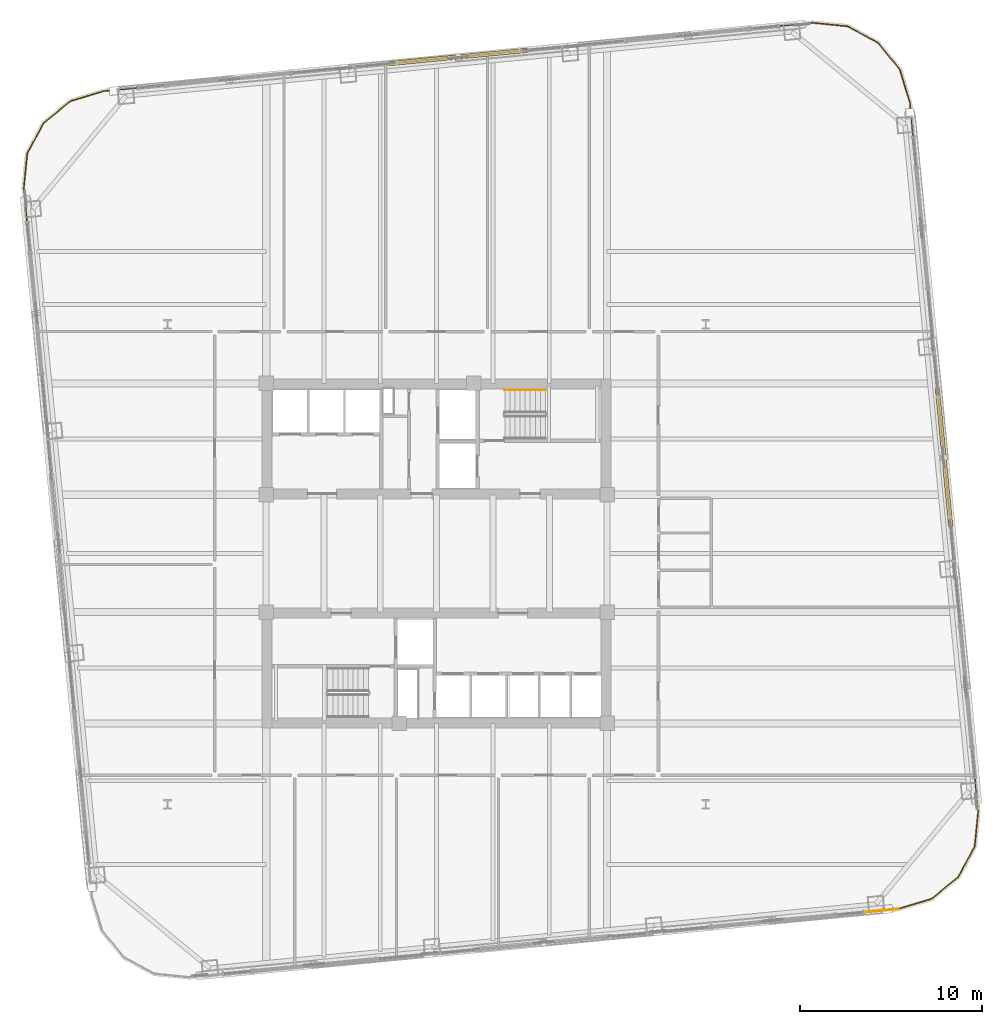
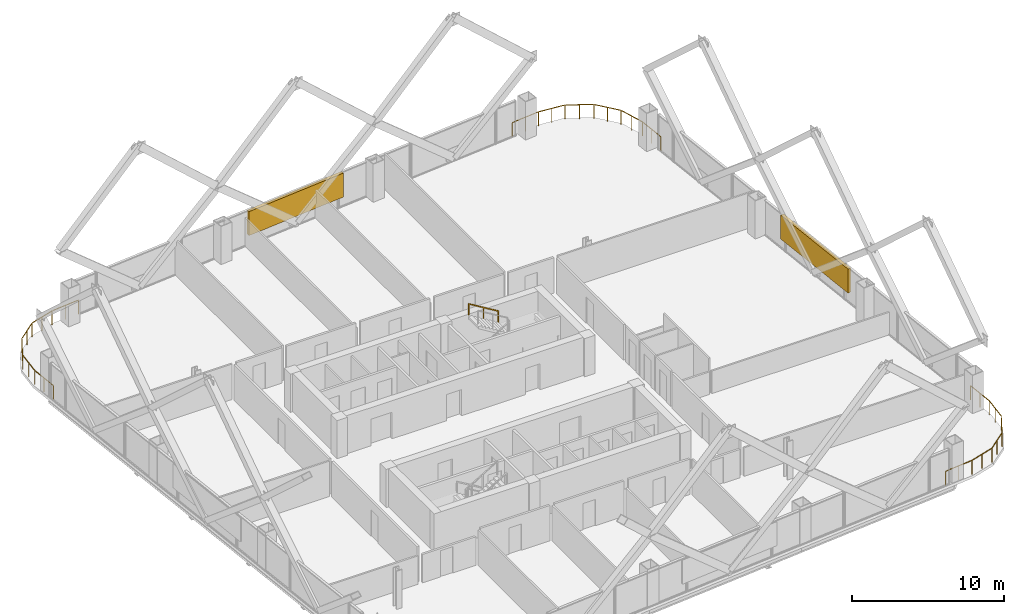
# One storey, part 32 of 32: 5 railings, 2 shading devices.
"""IFC4 building model written with IfcOpenShell, lengths in metres."""

from ifc_helpers import new_model, si_unit, direction, frame, origin, origin_2d, place, context, subcontext, project, spatial, rectangle, extrude, material, type_object, element, save


model = new_model("IFC4")

# Units and contexts
model_context = context("Model", 3, precision=1e-05, world=origin(), true_north=direction((0.0, 1.0)))
body_context = subcontext(model_context, "Body", "Model", "MODEL_VIEW")
ifc_project = project(units=[si_unit("LENGTHUNIT", "METRE"), si_unit("AREAUNIT", "SQUARE_METRE"), si_unit("VOLUMEUNIT", "CUBIC_METRE"), si_unit("PLANEANGLEUNIT", "RADIAN"), si_unit("MASSUNIT", "GRAM", prefix="KILO")], contexts=[model_context])

# Site, building, storey
site_placement = place(None, origin())
site = spatial("IfcSite", under=ifc_project, at=site_placement, CompositionType="ELEMENT")
building_placement = place(site_placement, origin())
building = spatial("IfcBuilding", under=site, at=building_placement, Name="Qhalaya Broadcast Tower", CompositionType="ELEMENT")
storey_placement = place(building_placement, frame((0.0, 0.0, 81.64990234375)))
storey = spatial("IfcBuildingStorey", under=building, at=storey_placement, Name="L23", CompositionType="ELEMENT", Elevation=81.64990234375)

# Railings
ifc_material_1 = material(Name="Powder-Coated Galvanised Steel", Category="steel")
railing_type_1 = type_object("IfcRailingType", Name="Stair Wall Handrail 900", PredefinedType="HANDRAIL", material=ifc_material_1)
railing_1_placement = place(storey_placement, frame((5.989990234375, 9.590087890625, 1.694580078125)))
element("IfcRailing", 1, at=railing_1_placement, inside=storey, type_object=railing_type_1, Name="L23 ST-1 Stair Handrail 2", PredefinedType="HANDRAIL", context=body_context, shape_type="SweptSolid", body=[
    extrude(rectangle(XDim=0.048095703125, YDim=0.048095703125, at=origin_2d()), frame((0.0, 0.0, 0.8759765625), z_axis=(-0.855553338991, 0.0, 0.51771467445), x_axis=(0.0, -1.0, 0.0)), (0.0, 0.0, 1.0), 2.6181640625),
    extrude(rectangle(XDim=0.0419921875, YDim=0.0419921875, at=origin_2d()), origin(), (0.0, 0.0, 1.0), 0.849853515625),
    extrude(rectangle(XDim=0.0419921875, YDim=0.0419921875, at=origin_2d()), frame((-1.1201171875, 0.0, 0.677734375)), (0.0, 0.0, 1.0), 0.849853515625),
    extrude(rectangle(XDim=0.0419921875, YDim=0.0419921875, at=origin_2d()), frame((-2.239990234375, 0.0, 1.35546875)), (0.0, 0.0, 1.0), 0.849853515625),
])
railing_type_2 = type_object("IfcRailingType", Name="Terrace, Sky-Pool & Lookout Glass Balustrade 1150", PredefinedType="BALUSTRADE", material=ifc_material_1)
railing_2_placement = place(storey_placement, frame((25.38427734375, -18.949951171875, 0.0)))
element("IfcRailing", 2, at=railing_2_placement, inside=storey, type_object=railing_type_2, Name="L23 Rounded Corner Perimeter Guard 01", PredefinedType="BALUSTRADE", context=body_context, shape_type="SweptSolid", body=[
    extrude(rectangle(XDim=0.048095703125, YDim=0.048095703125, at=origin_2d()), frame((0.0, 0.0, 1.1259765625), z_axis=(-0.995402268864, -0.095782687057, 0.0), x_axis=(0.095782687057, -0.995402268864, 0.0)), (0.0, 0.0, 1.0), 2.1181640625),
    extrude(rectangle(XDim=0.0419921875, YDim=0.0419921875, at=origin_2d()), origin(), (0.0, 0.0, 1.0), 1.099853515625),
    extrude(rectangle(XDim=0.0419921875, YDim=0.0419921875, at=origin_2d()), frame((-1.05419921875, -0.1015625, 0.0)), (0.0, 0.0, 1.0), 1.099853515625),
    extrude(rectangle(XDim=0.0419921875, YDim=0.0419921875, at=origin_2d()), frame((-2.1083984375, -0.202880859375, 0.0)), (0.0, 0.0, 1.0), 1.099853515625),
])
railing_3_placement = place(storey_placement, frame((-22.501708984375, 18.583251953125, 0.0)))
element("IfcRailing", 3, at=railing_3_placement, inside=storey, type_object=railing_type_2, Name="L23 Rounded Corner Perimeter Guard 03", PredefinedType="BALUSTRADE", context=body_context, shape_type="SweptSolid", body=[
    extrude(rectangle(XDim=0.048095703125, YDim=0.048095703125, at=origin_2d()), frame((0.0, 0.0, 1.1259765625), z_axis=(-0.095782687057, 0.995402268864, 0.0), x_axis=(-0.995402268864, -0.095782687057, 0.0)), (0.0, 0.0, 1.0), 2.08935546875),
    extrude(rectangle(XDim=0.048095703125, YDim=0.048095703125, at=origin_2d()), frame((-0.199951171875, 2.13720703125, 1.1259765625), z_axis=(0.100071682341, 0.994980230152, 0.0), x_axis=(-0.994980230152, 0.100071682341, 0.0)), (0.0, 0.0, 1.0), 1.857421875),
    extrude(rectangle(XDim=0.048095703125, YDim=0.048095703125, at=origin_2d()), frame((0.00244140625, 4.039306640625, 1.1259765625), z_axis=(0.473342342286, 0.880878554058, 0.0), x_axis=(-0.880878554058, 0.473342342286, 0.0)), (0.0, 0.0, 1.0), 1.845458984375),
    extrude(rectangle(XDim=0.048095703125, YDim=0.048095703125, at=origin_2d()), frame((0.912109375, 5.708740234375, 1.1259765625), z_axis=(0.774420039683, 0.632671796541, 0.0), x_axis=(-0.632671796541, 0.774420039683, 0.0)), (0.0, 0.0, 1.0), 1.845458984375),
    extrude(rectangle(XDim=0.048095703125, YDim=0.048095703125, at=origin_2d()), frame((2.39111328125, 6.90283203125, 1.1259765625), z_axis=(0.95756627332, 0.288213171456, 0.0), x_axis=(-0.288213171456, 0.95756627332, 0.0)), (0.0, 0.0, 1.0), 1.857421875),
    extrude(rectangle(XDim=0.048095703125, YDim=0.048095703125, at=origin_2d()), frame((4.226318359375, 7.44921875, 1.1259765625), z_axis=(0.995391273094, 0.095896889673, 0.0), x_axis=(-0.095896889673, 0.995391273094, 0.0)), (0.0, 0.0, 1.0), 2.08935546875),
    extrude(rectangle(XDim=0.0419921875, YDim=0.0419921875, at=origin_2d()), origin(), (0.0, 0.0, 1.0), 1.099853515625),
    extrude(rectangle(XDim=0.0419921875, YDim=0.0419921875, at=origin_2d()), frame((-0.1015625, 1.05419921875, 0.0)), (0.0, 0.0, 1.0), 1.099853515625),
    extrude(rectangle(XDim=0.0419921875, YDim=0.0419921875, at=origin_2d()), frame((-0.202880859375, 2.1083984375, 0.0)), (0.0, 0.0, 1.0), 1.099853515625),
    extrude(rectangle(XDim=0.0419921875, YDim=0.0419921875, at=origin_2d()), frame((-0.10693359375, 3.06103515625, 0.0)), (0.0, 0.0, 1.0), 1.099853515625),
    extrude(rectangle(XDim=0.0419921875, YDim=0.0419921875, at=origin_2d()), frame((-0.01123046875, 4.013916015625, 0.0)), (0.0, 0.0, 1.0), 1.099853515625),
    extrude(rectangle(XDim=0.0419921875, YDim=0.0419921875, at=origin_2d()), frame((0.439208984375, 4.85205078125, 0.0)), (0.0, 0.0, 1.0), 1.099853515625),
    extrude(rectangle(XDim=0.0419921875, YDim=0.0419921875, at=origin_2d()), frame((0.8896484375, 5.6904296875, 0.0)), (0.0, 0.0, 1.0), 1.099853515625),
    extrude(rectangle(XDim=0.0419921875, YDim=0.0419921875, at=origin_2d()), frame((1.62646484375, 6.29248046875, 0.0)), (0.0, 0.0, 1.0), 1.099853515625),
    extrude(rectangle(XDim=0.0419921875, YDim=0.0419921875, at=origin_2d()), frame((2.363525390625, 6.89453125, 0.0)), (0.0, 0.0, 1.0), 1.099853515625),
    extrude(rectangle(XDim=0.0419921875, YDim=0.0419921875, at=origin_2d()), frame((3.280517578125, 7.17041015625, 0.0)), (0.0, 0.0, 1.0), 1.099853515625),
    extrude(rectangle(XDim=0.0419921875, YDim=0.0419921875, at=origin_2d()), frame((4.197509765625, 7.446533203125, 0.0)), (0.0, 0.0, 1.0), 1.099853515625),
    extrude(rectangle(XDim=0.0419921875, YDim=0.0419921875, at=origin_2d()), frame((5.251708984375, 7.548095703125, 0.0)), (0.0, 0.0, 1.0), 1.099853515625),
    extrude(rectangle(XDim=0.0419921875, YDim=0.0419921875, at=origin_2d()), frame((6.305908203125, 7.649658203125, 0.0)), (0.0, 0.0, 1.0), 1.099853515625),
])
railing_4_placement = place(storey_placement, frame((18.583251953125, 29.581787109375, 0.0)))
element("IfcRailing", 4, at=railing_4_placement, inside=storey, type_object=railing_type_2, Name="L23 Rounded Corner Perimeter Guard 04", PredefinedType="BALUSTRADE", context=body_context, shape_type="SweptSolid", body=[
    extrude(rectangle(XDim=0.048095703125, YDim=0.048095703125, at=origin_2d()), frame((0.0, 0.0, 1.1259765625), z_axis=(0.995402268864, 0.095782687057, 0.0), x_axis=(-0.095782687057, 0.995402268864, 0.0)), (0.0, 0.0, 1.0), 2.08935546875),
    extrude(rectangle(XDim=0.048095703125, YDim=0.048095703125, at=origin_2d()), frame((2.13720703125, 0.199951171875, 1.1259765625), z_axis=(0.994980230152, -0.100071682341, 0.0), x_axis=(0.100071682341, 0.994980230152, 0.0)), (0.0, 0.0, 1.0), 1.857421875),
    extrude(rectangle(XDim=0.048095703125, YDim=0.048095703125, at=origin_2d()), frame((4.039306640625, -0.00244140625, 1.1259765625), z_axis=(0.880878554058, -0.473342342286, 0.0), x_axis=(0.473342342286, 0.880878554058, 0.0)), (0.0, 0.0, 1.0), 1.845458984375),
    extrude(rectangle(XDim=0.048095703125, YDim=0.048095703125, at=origin_2d()), frame((5.708740234375, -0.912109375, 1.1259765625), z_axis=(0.632671796541, -0.774420039683, 0.0), x_axis=(0.774420039683, 0.632671796541, 0.0)), (0.0, 0.0, 1.0), 1.845458984375),
    extrude(rectangle(XDim=0.048095703125, YDim=0.048095703125, at=origin_2d()), frame((6.90283203125, -2.39111328125, 1.1259765625), z_axis=(0.288213171456, -0.95756627332, 0.0), x_axis=(0.95756627332, 0.288213171456, 0.0)), (0.0, 0.0, 1.0), 1.857421875),
    extrude(rectangle(XDim=0.048095703125, YDim=0.048095703125, at=origin_2d()), frame((7.44921875, -4.226318359375, 1.1259765625), z_axis=(0.095896889673, -0.995391273094, 0.0), x_axis=(0.995391273094, 0.095896889673, 0.0)), (0.0, 0.0, 1.0), 2.08935546875),
    extrude(rectangle(XDim=0.0419921875, YDim=0.0419921875, at=origin_2d()), origin(), (0.0, 0.0, 1.0), 1.099853515625),
    extrude(rectangle(XDim=0.0419921875, YDim=0.0419921875, at=origin_2d()), frame((1.05419921875, 0.1015625, 0.0)), (0.0, 0.0, 1.0), 1.099853515625),
    extrude(rectangle(XDim=0.0419921875, YDim=0.0419921875, at=origin_2d()), frame((2.1083984375, 0.202880859375, 0.0)), (0.0, 0.0, 1.0), 1.099853515625),
    extrude(rectangle(XDim=0.0419921875, YDim=0.0419921875, at=origin_2d()), frame((3.06103515625, 0.10693359375, 0.0)), (0.0, 0.0, 1.0), 1.099853515625),
    extrude(rectangle(XDim=0.0419921875, YDim=0.0419921875, at=origin_2d()), frame((4.013916015625, 0.01123046875, 0.0)), (0.0, 0.0, 1.0), 1.099853515625),
    extrude(rectangle(XDim=0.0419921875, YDim=0.0419921875, at=origin_2d()), frame((4.85205078125, -0.439208984375, 0.0)), (0.0, 0.0, 1.0), 1.099853515625),
    extrude(rectangle(XDim=0.0419921875, YDim=0.0419921875, at=origin_2d()), frame((5.6904296875, -0.8896484375, 0.0)), (0.0, 0.0, 1.0), 1.099853515625),
    extrude(rectangle(XDim=0.0419921875, YDim=0.0419921875, at=origin_2d()), frame((6.29248046875, -1.62646484375, 0.0)), (0.0, 0.0, 1.0), 1.099853515625),
    extrude(rectangle(XDim=0.0419921875, YDim=0.0419921875, at=origin_2d()), frame((6.89453125, -2.363525390625, 0.0)), (0.0, 0.0, 1.0), 1.099853515625),
    extrude(rectangle(XDim=0.0419921875, YDim=0.0419921875, at=origin_2d()), frame((7.17041015625, -3.280517578125, 0.0)), (0.0, 0.0, 1.0), 1.099853515625),
    extrude(rectangle(XDim=0.0419921875, YDim=0.0419921875, at=origin_2d()), frame((7.446533203125, -4.197509765625, 0.0)), (0.0, 0.0, 1.0), 1.099853515625),
    extrude(rectangle(XDim=0.0419921875, YDim=0.0419921875, at=origin_2d()), frame((7.548095703125, -5.251708984375, 0.0)), (0.0, 0.0, 1.0), 1.099853515625),
    extrude(rectangle(XDim=0.0419921875, YDim=0.0419921875, at=origin_2d()), frame((7.649658203125, -6.305908203125, 0.0)), (0.0, 0.0, 1.0), 1.099853515625),
])
railing_5_placement = place(storey_placement, frame((29.581787109375, -11.50341796875, 0.0)))
element("IfcRailing", 5, at=railing_5_placement, inside=storey, type_object=railing_type_2, Name="L23 Rounded Corner Perimeter Guard 05", PredefinedType="BALUSTRADE", context=body_context, shape_type="SweptSolid", body=[
    extrude(rectangle(XDim=0.048095703125, YDim=0.048095703125, at=origin_2d()), frame((0.0, 0.0, 1.1259765625), z_axis=(0.095782687057, -0.995402268864, 0.0), x_axis=(0.995402268864, 0.095782687057, 0.0)), (0.0, 0.0, 1.0), 2.08935546875),
    extrude(rectangle(XDim=0.048095703125, YDim=0.048095703125, at=origin_2d()), frame((0.199951171875, -2.13720703125, 1.1259765625), z_axis=(-0.100084377028, -0.994978953282, 0.0), x_axis=(0.994978953282, -0.100084377028, 0.0)), (0.0, 0.0, 1.0), 1.857177734375),
    extrude(rectangle(XDim=0.048095703125, YDim=0.048095703125, at=origin_2d()), frame((-0.00244140625, -4.0390625, 1.1259765625), z_axis=(-0.473288861424, -0.880907290044, 0.0), x_axis=(0.880907290044, -0.473288861424, 0.0)), (0.0, 0.0, 1.0), 1.845703125),
    extrude(rectangle(XDim=0.048095703125, YDim=0.048095703125, at=origin_2d()), frame((-0.912109375, -5.708740234375, 1.1259765625), z_axis=(-0.774420039683, -0.632671796541, 0.0), x_axis=(0.632671796541, -0.774420039683, 0.0)), (0.0, 0.0, 1.0), 1.845458984375),
    extrude(rectangle(XDim=0.048095703125, YDim=0.048095703125, at=origin_2d()), frame((-2.39111328125, -6.90283203125, 1.1259765625), z_axis=(-0.95756627332, -0.288213171456, 0.0), x_axis=(0.288213171456, -0.95756627332, 0.0)), (0.0, 0.0, 1.0), 1.886474609375),
    extrude(rectangle(XDim=0.0419921875, YDim=0.0419921875, at=origin_2d()), origin(), (0.0, 0.0, 1.0), 1.099853515625),
    extrude(rectangle(XDim=0.0419921875, YDim=0.0419921875, at=origin_2d()), frame((0.1015625, -1.05419921875, 0.0)), (0.0, 0.0, 1.0), 1.099853515625),
    extrude(rectangle(XDim=0.0419921875, YDim=0.0419921875, at=origin_2d()), frame((0.202880859375, -2.1083984375, 0.0)), (0.0, 0.0, 1.0), 1.099853515625),
    extrude(rectangle(XDim=0.0419921875, YDim=0.0419921875, at=origin_2d()), frame((0.10693359375, -3.06103515625, 0.0)), (0.0, 0.0, 1.0), 1.099853515625),
    extrude(rectangle(XDim=0.0419921875, YDim=0.0419921875, at=origin_2d()), frame((0.01123046875, -4.013671875, 0.0)), (0.0, 0.0, 1.0), 1.099853515625),
    extrude(rectangle(XDim=0.0419921875, YDim=0.0419921875, at=origin_2d()), frame((-0.439208984375, -4.85205078125, 0.0)), (0.0, 0.0, 1.0), 1.099853515625),
    extrude(rectangle(XDim=0.0419921875, YDim=0.0419921875, at=origin_2d()), frame((-0.8896484375, -5.6904296875, 0.0)), (0.0, 0.0, 1.0), 1.099853515625),
    extrude(rectangle(XDim=0.0419921875, YDim=0.0419921875, at=origin_2d()), frame((-1.62646484375, -6.29248046875, 0.0)), (0.0, 0.0, 1.0), 1.099853515625),
    extrude(rectangle(XDim=0.0419921875, YDim=0.0419921875, at=origin_2d()), frame((-2.363525390625, -6.89453125, 0.0)), (0.0, 0.0, 1.0), 1.099853515625),
    extrude(rectangle(XDim=0.0419921875, YDim=0.0419921875, at=origin_2d()), frame((-3.280517578125, -7.17041015625, 0.0)), (0.0, 0.0, 1.0), 1.099853515625),
    extrude(rectangle(XDim=0.0419921875, YDim=0.0419921875, at=origin_2d()), frame((-4.197509765625, -7.446533203125, 0.0)), (0.0, 0.0, 1.0), 1.099853515625),
])

# Shading devices
ifc_material_2 = material(Name="Fired Architectural Terracotta", Category="masonry")
shading_device_type = type_object("IfcShadingDeviceType", Name="Terracotta Baguette Solar Screen Assembly TBS-01", PredefinedType="USERDEFINED", material=ifc_material_2)
for number, where, z_axis, x_axis, name in (
    (6, (27.9072265625, 5.88623046875, 0.79248046875), (0.0, 0.0, 1.0), (-0.09584575252, 0.995396198367, 0.0), "L23 Fired Terracotta Baguette Screen E"),
    (7, (1.193603515625, 27.9072265625, 0.79248046875), (0.0, 0.0, 1.0), (-0.995396198367, -0.09584575252, 0.0), "L23 Fired Terracotta Baguette Screen N"),
):
    element("IfcShadingDevice", number, at=place(storey_placement, frame(where, z_axis=z_axis, x_axis=x_axis)), inside=storey, type_object=shading_device_type, Name=name, ObjectType="BAGUETTE", PredefinedType="USERDEFINED", context=body_context, shape_type="SweptSolid", body=[
        extrude(rectangle(XDim=7.60009765625, YDim=0.239990234375, at=origin_2d()), origin(), (0.0, 0.0, 1.0), 1.924072265625),
    ])

save(model, "model.ifc")
